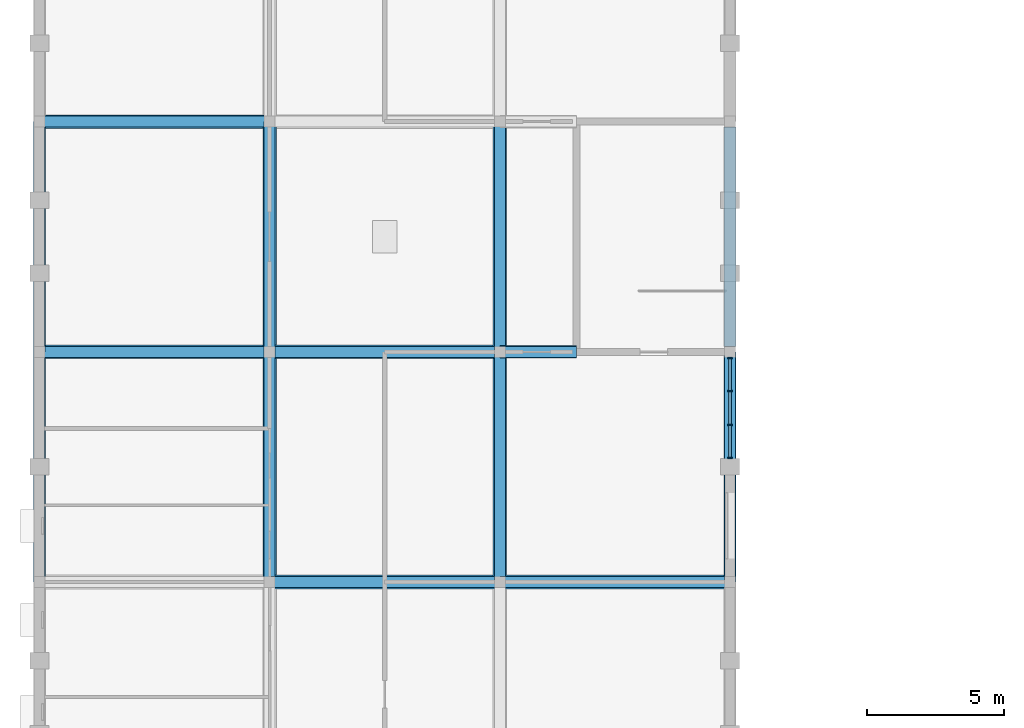
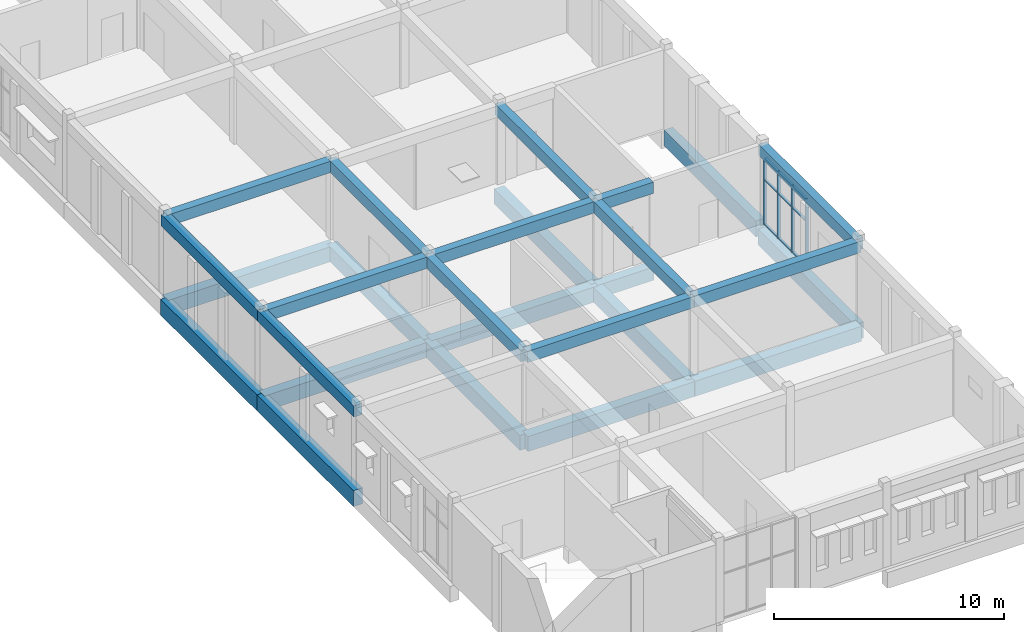
# One storey, part 2 of 15: 27 beams, 13 members, 1 element without a shape of its own.
"""IFC4 building model written with IfcOpenShell, lengths in metres."""

from ifc_helpers import new_model, si_unit, direction, frame, origin, origin_2d, place, context, subcontext, project, spatial, rectangle, extrude, material, material_profile, profile_set, type_object, element, aggregate, save


model = new_model("IFC4")

# Units and contexts
model_context = context("Model", 3, precision=1e-05, world=origin(), true_north=direction((0.0, 1.0)))
body_context = subcontext(model_context, "Body", "Model", "MODEL_VIEW")
ifc_project = project(units=[si_unit("LENGTHUNIT", "METRE"), si_unit("AREAUNIT", "SQUARE_METRE"), si_unit("VOLUMEUNIT", "CUBIC_METRE"), si_unit("PLANEANGLEUNIT", "RADIAN"), si_unit("MASSUNIT", "GRAM", prefix="KILO")], contexts=[model_context])

# Site, building, storey
site_placement = place(None, origin())
site = spatial("IfcSite", under=ifc_project, at=site_placement, CompositionType="ELEMENT")
building_placement = place(site_placement, origin())
building = spatial("IfcBuilding", under=site, at=building_placement, Name="Fescue Hill Polytechnic", CompositionType="ELEMENT")
storey_placement = place(building_placement, frame((0.0, 0.0, 31.5)))
storey = spatial("IfcBuildingStorey", under=building, at=storey_placement, Name="L07", CompositionType="ELEMENT", Elevation=31.5)

# Beams
ifc_material_1 = material(Name="Concrete 35 MPa", Category="concrete")
ifc_material_profile_1 = material_profile(ifc_material_1, rectangle(XDim=0.39990234375, YDim=0.60009765625, at=origin_2d()), Name="RC 400x600")
ifc_profile_set_1 = profile_set([ifc_material_profile_1], Name="Concrete 35 MPa")
beam_type_1 = type_object("IfcBeamType", Name="Beam RC 400x600", PredefinedType="BEAM", material=ifc_profile_set_1)
beam_1_placement = place(storey_placement, frame((0.0, 67.199951171875, 3.89990234375), z_axis=(0.0, 1.0, 0.0), x_axis=(-1.0, 0.0, 0.0)))
element("IfcBeam", 1, at=beam_1_placement, inside=storey, type_object=beam_type_1, Name="BR-L07-0002", PredefinedType="BEAM", context=body_context, shape_type="SweptSolid", body=[
    extrude(rectangle(XDim=0.39990234375, YDim=0.60009765625, at=origin_2d()), origin(), (0.0, 0.0, 1.0), 8.400146484375),
])
beam_2_placement = place(storey_placement, frame((0.0, 75.60009765625, 3.89990234375), z_axis=(0.0, 1.0, 0.0), x_axis=(-1.0, 0.0, 0.0)))
element("IfcBeam", 2, at=beam_2_placement, inside=storey, type_object=beam_type_1, Name="BR-L07-0003", PredefinedType="BEAM", context=body_context, shape_type="SweptSolid", body=[
    extrude(rectangle(XDim=0.39990234375, YDim=0.60009765625, at=origin_2d()), origin(), (0.0, 0.0, 1.0), 8.39990234375),
])
for number, where, z_axis, x_axis, name in (
    (3, (0.010009765625, 75.60009765625, 3.89990234375), (1.0, 0.0, 0.0), (0.0, 1.0, 0.0), "BR-L07-0009"),
    (4, (0.010009765625, 84.0, 3.89990234375), (1.0, 0.0, 0.0), (0.0, 1.0, 0.0), "BR-L07-0010"),
):
    element("IfcBeam", number, at=place(storey_placement, frame(where, z_axis=z_axis, x_axis=x_axis)), inside=storey, type_object=beam_type_1, Name=name, PredefinedType="BEAM", context=body_context, shape_type="SweptSolid", body=[
        extrude(rectangle(XDim=0.39990234375, YDim=0.60009765625, at=origin_2d()), origin(), (0.0, 0.0, 1.0), 8.3798828125),
    ])
beam_3_placement = place(storey_placement, frame((8.39990234375, 67.199951171875, 3.89990234375), z_axis=(0.0, 1.0, 0.0), x_axis=(-1.0, 0.0, 0.0)))
element("IfcBeam", 5, at=beam_3_placement, inside=storey, type_object=beam_type_1, Name="BR-L07-0018", PredefinedType="BEAM", context=body_context, shape_type="SweptSolid", body=[
    extrude(rectangle(XDim=0.39990234375, YDim=0.60009765625, at=origin_2d()), origin(), (0.0, 0.0, 1.0), 8.400146484375),
])
beam_4_placement = place(storey_placement, frame((8.39990234375, 75.60009765625, 3.89990234375), z_axis=(0.0, 1.0, 0.0), x_axis=(-1.0, 0.0, 0.0)))
element("IfcBeam", 6, at=beam_4_placement, inside=storey, type_object=beam_type_1, Name="BR-L07-0019", PredefinedType="BEAM", context=body_context, shape_type="SweptSolid", body=[
    extrude(rectangle(XDim=0.39990234375, YDim=0.60009765625, at=origin_2d()), origin(), (0.0, 0.0, 1.0), 8.39990234375),
])
for number, where, z_axis, x_axis, name in (
    (7, (8.409912109375, 67.199951171875, 3.89990234375), (1.0, 0.0, 0.0), (0.0, 1.0, 0.0), "BR-L07-0025"),
    (8, (8.409912109375, 75.60009765625, 3.89990234375), (1.0, 0.0, 0.0), (0.0, 1.0, 0.0), "BR-L07-0026"),
):
    element("IfcBeam", number, at=place(storey_placement, frame(where, z_axis=z_axis, x_axis=x_axis)), inside=storey, type_object=beam_type_1, Name=name, PredefinedType="BEAM", context=body_context, shape_type="SweptSolid", body=[
        extrude(rectangle(XDim=0.39990234375, YDim=0.60009765625, at=origin_2d()), origin(), (0.0, 0.0, 1.0), 8.380126953125),
    ])
beam_5_placement = place(storey_placement, frame((16.800048828125, 67.199951171875, 3.89990234375), z_axis=(0.0, 1.0, 0.0), x_axis=(-1.0, 0.0, 0.0)))
element("IfcBeam", 9, at=beam_5_placement, inside=storey, type_object=beam_type_1, Name="BR-L07-0034", PredefinedType="BEAM", context=body_context, shape_type="SweptSolid", body=[
    extrude(rectangle(XDim=0.39990234375, YDim=0.60009765625, at=origin_2d()), origin(), (0.0, 0.0, 1.0), 8.400146484375),
])
beam_6_placement = place(storey_placement, frame((16.800048828125, 75.60009765625, 3.89990234375), z_axis=(0.0, 1.0, 0.0), x_axis=(-1.0, 0.0, 0.0)))
element("IfcBeam", 10, at=beam_6_placement, inside=storey, type_object=beam_type_1, Name="BR-L07-0035", PredefinedType="BEAM", context=body_context, shape_type="SweptSolid", body=[
    extrude(rectangle(XDim=0.39990234375, YDim=0.60009765625, at=origin_2d()), origin(), (0.0, 0.0, 1.0), 8.39990234375),
])
beam_7_placement = place(storey_placement, frame((16.81005859375, 67.199951171875, 3.89990234375), z_axis=(1.0, 0.0, 0.0), x_axis=(0.0, 1.0, 0.0)))
element("IfcBeam", 11, at=beam_7_placement, inside=storey, type_object=beam_type_1, Name="BR-L07-0044", PredefinedType="BEAM", context=body_context, shape_type="SweptSolid", body=[
    extrude(rectangle(XDim=0.39990234375, YDim=0.60009765625, at=origin_2d()), origin(), (0.0, 0.0, 1.0), 8.3798828125),
])
beam_8_placement = place(storey_placement, frame((16.81005859375, 75.60009765625, 3.89990234375), z_axis=(1.0, 0.0, 0.0), x_axis=(0.0, 1.0, 0.0)))
element("IfcBeam", 12, at=beam_8_placement, inside=storey, type_object=beam_type_1, Name="BR-L07-0045", PredefinedType="BEAM", context=body_context, shape_type="SweptSolid", body=[
    extrude(rectangle(XDim=0.39990234375, YDim=0.60009765625, at=origin_2d()), origin(), (0.0, 0.0, 1.0), 2.7900390625),
])
beam_9_placement = place(storey_placement, frame((25.199951171875, 67.199951171875, 3.89990234375), z_axis=(0.0, 1.0, 0.0), x_axis=(-1.0, 0.0, 0.0)))
element("IfcBeam", 13, at=beam_9_placement, inside=storey, type_object=beam_type_1, Name="BR-L07-0052", PredefinedType="BEAM", context=body_context, shape_type="SweptSolid", body=[
    extrude(rectangle(XDim=0.39990234375, YDim=0.60009765625, at=origin_2d()), origin(), (0.0, 0.0, 1.0), 8.400146484375),
])
ifc_material_profile_2 = material_profile(ifc_material_1, rectangle(XDim=0.449951171875, YDim=0.699951171875, at=origin_2d()), Name="RC 450x700")
ifc_profile_set_2 = profile_set([ifc_material_profile_2], Name="Concrete 35 MPa")
beam_type_2 = type_object("IfcBeamType", Name="Beam RC 450x700", PredefinedType="BEAM", material=ifc_profile_set_2)
beam_10_placement = place(storey_placement, frame((16.81005859375, 75.60009765625, -0.64990234375), z_axis=(1.0, 0.0, 0.0), x_axis=(0.0, 1.0, 0.0)))
element("IfcBeam", 14, at=beam_10_placement, inside=storey, type_object=beam_type_2, Name="BM-L07-0045", PredefinedType="BEAM", context=body_context, shape_type="SweptSolid", body=[
    extrude(rectangle(XDim=0.449951171875, YDim=0.699951171875, at=origin_2d()), origin(), (0.0, 0.0, 1.0), 2.7900390625),
])
ifc_material_profile_3 = material_profile(ifc_material_1, rectangle(XDim=0.449951171875, YDim=0.85009765625, at=origin_2d()), Name="RC 450x850")
ifc_profile_set_3 = profile_set([ifc_material_profile_3], Name="Concrete 35 MPa")
beam_type_3 = type_object("IfcBeamType", Name="Beam RC 450x850", PredefinedType="BEAM", material=ifc_profile_set_3)
beam_11_placement = place(storey_placement, frame((0.0, 67.199951171875, -0.72509765625), z_axis=(0.0, 1.0, 0.0), x_axis=(-1.0, 0.0, 0.0)))
element("IfcBeam", 15, at=beam_11_placement, inside=storey, type_object=beam_type_3, Name="BM-L07-0002", PredefinedType="BEAM", context=body_context, shape_type="SweptSolid", body=[
    extrude(rectangle(XDim=0.449951171875, YDim=0.85009765625, at=origin_2d()), origin(), (0.0, 0.0, 1.0), 8.400146484375),
])
beam_12_placement = place(storey_placement, frame((0.0, 75.60009765625, -0.72509765625), z_axis=(0.0, 1.0, 0.0), x_axis=(-1.0, 0.0, 0.0)))
element("IfcBeam", 16, at=beam_12_placement, inside=storey, type_object=beam_type_3, Name="BM-L07-0003", PredefinedType="BEAM", context=body_context, shape_type="SweptSolid", body=[
    extrude(rectangle(XDim=0.449951171875, YDim=0.85009765625, at=origin_2d()), origin(), (0.0, 0.0, 1.0), 8.39990234375),
])
beam_13_placement = place(storey_placement, frame((25.199951171875, 67.199951171875, -0.72509765625), z_axis=(0.0, 1.0, 0.0), x_axis=(-1.0, 0.0, 0.0)))
element("IfcBeam", 17, at=beam_13_placement, inside=storey, type_object=beam_type_3, Name="BM-L07-0052", PredefinedType="BEAM", context=body_context, shape_type="SweptSolid", body=[
    extrude(rectangle(XDim=0.449951171875, YDim=0.85009765625, at=origin_2d()), origin(), (0.0, 0.0, 1.0), 8.400146484375),
])
beam_14_placement = place(storey_placement, frame((25.199951171875, 75.800048828125, -0.425048828125), z_axis=(0.0, 1.0, 0.0), x_axis=(-1.0, 0.0, 0.0)))
element("IfcBeam", 18, at=beam_14_placement, inside=storey, type_object=beam_type_3, Name="BM-L07-0074", PredefinedType="BEAM", context=body_context, shape_type="SweptSolid", body=[
    extrude(rectangle(XDim=0.449951171875, YDim=0.85009765625, at=origin_2d()), origin(), (0.0, 0.0, 1.0), 8.0),
])
ifc_material_profile_4 = material_profile(ifc_material_1, rectangle(XDim=0.5, YDim=0.800048828125, at=origin_2d()), Name="RC 500x800")
ifc_profile_set_4 = profile_set([ifc_material_profile_4], Name="Concrete 35 MPa")
beam_type_4 = type_object("IfcBeamType", Name="Beam RC 500x800", PredefinedType="BEAM", material=ifc_profile_set_4)
for number, where, z_axis, x_axis, name in (
    (19, (0.010009765625, 75.60009765625, -0.699951171875), (1.0, 0.0, 0.0), (0.0, 1.0, 0.0), "BM-L07-0009"),
    (20, (0.010009765625, 84.0, -0.699951171875), (1.0, 0.0, 0.0), (0.0, 1.0, 0.0), "BM-L07-0010"),
):
    element("IfcBeam", number, at=place(storey_placement, frame(where, z_axis=z_axis, x_axis=x_axis)), inside=storey, type_object=beam_type_4, Name=name, PredefinedType="BEAM", context=body_context, shape_type="SweptSolid", body=[
        extrude(rectangle(XDim=0.5, YDim=0.800048828125, at=origin_2d()), origin(), (0.0, 0.0, 1.0), 8.3798828125),
    ])
beam_15_placement = place(storey_placement, frame((8.39990234375, 67.199951171875, -0.699951171875), z_axis=(0.0, 1.0, 0.0), x_axis=(-1.0, 0.0, 0.0)))
element("IfcBeam", 21, at=beam_15_placement, inside=storey, type_object=beam_type_4, Name="BM-L07-0018", PredefinedType="BEAM", context=body_context, shape_type="SweptSolid", body=[
    extrude(rectangle(XDim=0.5, YDim=0.800048828125, at=origin_2d()), origin(), (0.0, 0.0, 1.0), 8.400146484375),
])
beam_16_placement = place(storey_placement, frame((8.39990234375, 75.60009765625, -0.699951171875), z_axis=(0.0, 1.0, 0.0), x_axis=(-1.0, 0.0, 0.0)))
element("IfcBeam", 22, at=beam_16_placement, inside=storey, type_object=beam_type_4, Name="BM-L07-0019", PredefinedType="BEAM", context=body_context, shape_type="SweptSolid", body=[
    extrude(rectangle(XDim=0.5, YDim=0.800048828125, at=origin_2d()), origin(), (0.0, 0.0, 1.0), 8.39990234375),
])
for number, where, z_axis, x_axis, name in (
    (23, (8.409912109375, 67.199951171875, -0.699951171875), (1.0, 0.0, 0.0), (0.0, 1.0, 0.0), "BM-L07-0025"),
    (24, (8.409912109375, 75.60009765625, -0.699951171875), (1.0, 0.0, 0.0), (0.0, 1.0, 0.0), "BM-L07-0026"),
):
    element("IfcBeam", number, at=place(storey_placement, frame(where, z_axis=z_axis, x_axis=x_axis)), inside=storey, type_object=beam_type_4, Name=name, PredefinedType="BEAM", context=body_context, shape_type="SweptSolid", body=[
        extrude(rectangle(XDim=0.5, YDim=0.800048828125, at=origin_2d()), origin(), (0.0, 0.0, 1.0), 8.380126953125),
    ])
beam_17_placement = place(storey_placement, frame((16.800048828125, 67.199951171875, -0.699951171875), z_axis=(0.0, 1.0, 0.0), x_axis=(-1.0, 0.0, 0.0)))
element("IfcBeam", 25, at=beam_17_placement, inside=storey, type_object=beam_type_4, Name="BM-L07-0034", PredefinedType="BEAM", context=body_context, shape_type="SweptSolid", body=[
    extrude(rectangle(XDim=0.5, YDim=0.800048828125, at=origin_2d()), origin(), (0.0, 0.0, 1.0), 8.400146484375),
])
beam_18_placement = place(storey_placement, frame((16.800048828125, 75.60009765625, -0.699951171875), z_axis=(0.0, 1.0, 0.0), x_axis=(-1.0, 0.0, 0.0)))
element("IfcBeam", 26, at=beam_18_placement, inside=storey, type_object=beam_type_4, Name="BM-L07-0035", PredefinedType="BEAM", context=body_context, shape_type="SweptSolid", body=[
    extrude(rectangle(XDim=0.5, YDim=0.800048828125, at=origin_2d()), origin(), (0.0, 0.0, 1.0), 8.39990234375),
])
beam_19_placement = place(storey_placement, frame((16.81005859375, 67.199951171875, -0.699951171875), z_axis=(1.0, 0.0, 0.0), x_axis=(0.0, 1.0, 0.0)))
element("IfcBeam", 27, at=beam_19_placement, inside=storey, type_object=beam_type_4, Name="BM-L07-0044", PredefinedType="BEAM", context=body_context, shape_type="SweptSolid", body=[
    extrude(rectangle(XDim=0.5, YDim=0.800048828125, at=origin_2d()), origin(), (0.0, 0.0, 1.0), 8.3798828125),
])

# Curtain wall, members
ifc_material_2 = material(Name="Glass", Category="glass")
curtain_wall_type = type_object("IfcCurtainWallType", Name="Curtain wall structural glazing", PredefinedType="NOTDEFINED", material=ifc_material_2)
curtain_wall_placement = place(storey_placement, origin())
curtain_wall = element("IfcCurtainWall", 28, at=curtain_wall_placement, inside=storey, type_object=curtain_wall_type, Name="CW-L07-V4-X3", PredefinedType="NOTDEFINED")
ifc_material_3 = material(Name="Powder-coated aluminium", Category="aluminium")
ifc_material_profile_5 = material_profile(ifc_material_3, rectangle(XDim=0.159912109375, YDim=0.06005859375, at=origin_2d()), Name="Mullion aluminium 60x160")
ifc_profile_set_5 = profile_set([ifc_material_profile_5], Name="Powder-coated aluminium")
member_type_1 = type_object("IfcMemberType", Name="Mullion aluminium 60x160", PredefinedType="MULLION", material=ifc_profile_set_5)
member_1_placement = place(storey_placement, frame((25.199951171875, 71.72998046875, 0.0), z_axis=(0.0, 0.0, 1.0), x_axis=(-1.0, 0.0, 0.0)))
member_1 = element("IfcMember", 29, at=member_1_placement, type_object=member_type_1, Name="CW140 mullion 1", PredefinedType="MULLION", context=body_context, shape_type="SweptSolid", body=[
    extrude(rectangle(XDim=0.159912109375, YDim=0.06005859375, at=origin_2d()), origin(), (0.0, 0.0, 1.0), 3.580078125),
])
member_2_placement = place(storey_placement, frame((25.199951171875, 72.933349609375, 0.0), z_axis=(0.0, 0.0, 1.0), x_axis=(-1.0, 0.0, 0.0)))
member_2 = element("IfcMember", 30, at=member_2_placement, type_object=member_type_1, Name="CW140 mullion 2", PredefinedType="MULLION", context=body_context, shape_type="SweptSolid", body=[
    extrude(rectangle(XDim=0.159912109375, YDim=0.06005859375, at=origin_2d()), origin(), (0.0, 0.0, 1.0), 3.580078125),
])
member_3_placement = place(storey_placement, frame((25.199951171875, 74.166748046875, 0.0), z_axis=(0.0, 0.0, 1.0), x_axis=(-1.0, 0.0, 0.0)))
member_3 = element("IfcMember", 31, at=member_3_placement, type_object=member_type_1, Name="CW140 mullion 3", PredefinedType="MULLION", context=body_context, shape_type="SweptSolid", body=[
    extrude(rectangle(XDim=0.159912109375, YDim=0.06005859375, at=origin_2d()), origin(), (0.0, 0.0, 1.0), 3.580078125),
])
member_4_placement = place(storey_placement, frame((25.199951171875, 75.3701171875, 0.0), z_axis=(0.0, 0.0, 1.0), x_axis=(-1.0, 0.0, 0.0)))
member_4 = element("IfcMember", 32, at=member_4_placement, type_object=member_type_1, Name="CW140 mullion 4", PredefinedType="MULLION", context=body_context, shape_type="SweptSolid", body=[
    extrude(rectangle(XDim=0.159912109375, YDim=0.06005859375, at=origin_2d()), origin(), (0.0, 0.0, 1.0), 3.580078125),
])
ifc_material_profile_6 = material_profile(ifc_material_3, rectangle(XDim=0.1201171875, YDim=0.06005859375, at=origin_2d()), Name="Transom aluminium 60x120")
ifc_profile_set_6 = profile_set([ifc_material_profile_6], Name="Powder-coated aluminium")
member_type_2 = type_object("IfcMemberType", Name="Transom aluminium 60x120", PredefinedType="USERDEFINED", material=ifc_profile_set_6)
member_5_placement = place(storey_placement, frame((25.199951171875, 71.760009765625, 0.030029296875), z_axis=(0.0, 1.0, 0.0), x_axis=(-1.0, 0.0, 0.0)))
member_5 = element("IfcMember", 33, at=member_5_placement, type_object=member_type_2, Name="CW140 transom 1.1", ObjectType="TRANSOM", PredefinedType="USERDEFINED", context=body_context, shape_type="SweptSolid", body=[
    extrude(rectangle(XDim=0.1201171875, YDim=0.06005859375, at=origin_2d()), origin(), (0.0, 0.0, 1.0), 1.143310546875),
])
member_6_placement = place(storey_placement, frame((25.199951171875, 71.760009765625, 2.39990234375), z_axis=(0.0, 1.0, 0.0), x_axis=(-1.0, 0.0, 0.0)))
member_6 = element("IfcMember", 34, at=member_6_placement, type_object=member_type_2, Name="CW140 transom 1.2", ObjectType="TRANSOM", PredefinedType="USERDEFINED", context=body_context, shape_type="SweptSolid", body=[
    extrude(rectangle(XDim=0.1201171875, YDim=0.06005859375, at=origin_2d()), origin(), (0.0, 0.0, 1.0), 1.143310546875),
])
member_7_placement = place(storey_placement, frame((25.199951171875, 71.760009765625, 3.550048828125), z_axis=(0.0, 1.0, 0.0), x_axis=(-1.0, 0.0, 0.0)))
member_7 = element("IfcMember", 35, at=member_7_placement, type_object=member_type_2, Name="CW140 transom 1.3", ObjectType="TRANSOM", PredefinedType="USERDEFINED", context=body_context, shape_type="SweptSolid", body=[
    extrude(rectangle(XDim=0.1201171875, YDim=0.06005859375, at=origin_2d()), origin(), (0.0, 0.0, 1.0), 1.143310546875),
])
member_8_placement = place(storey_placement, frame((25.199951171875, 72.96337890625, 0.030029296875), z_axis=(0.0, 1.0, 0.0), x_axis=(-1.0, 0.0, 0.0)))
member_8 = element("IfcMember", 36, at=member_8_placement, type_object=member_type_2, Name="CW140 transom 2.1", ObjectType="TRANSOM", PredefinedType="USERDEFINED", context=body_context, shape_type="SweptSolid", body=[
    extrude(rectangle(XDim=0.1201171875, YDim=0.06005859375, at=origin_2d()), origin(), (0.0, 0.0, 1.0), 1.17333984375),
])
member_9_placement = place(storey_placement, frame((25.199951171875, 72.96337890625, 2.39990234375), z_axis=(0.0, 1.0, 0.0), x_axis=(-1.0, 0.0, 0.0)))
member_9 = element("IfcMember", 37, at=member_9_placement, type_object=member_type_2, Name="CW140 transom 2.2", ObjectType="TRANSOM", PredefinedType="USERDEFINED", context=body_context, shape_type="SweptSolid", body=[
    extrude(rectangle(XDim=0.1201171875, YDim=0.06005859375, at=origin_2d()), origin(), (0.0, 0.0, 1.0), 1.17333984375),
])
member_10_placement = place(storey_placement, frame((25.199951171875, 72.96337890625, 3.550048828125), z_axis=(0.0, 1.0, 0.0), x_axis=(-1.0, 0.0, 0.0)))
member_10 = element("IfcMember", 38, at=member_10_placement, type_object=member_type_2, Name="CW140 transom 2.3", ObjectType="TRANSOM", PredefinedType="USERDEFINED", context=body_context, shape_type="SweptSolid", body=[
    extrude(rectangle(XDim=0.1201171875, YDim=0.06005859375, at=origin_2d()), origin(), (0.0, 0.0, 1.0), 1.17333984375),
])
member_11_placement = place(storey_placement, frame((25.199951171875, 74.19677734375, 0.030029296875), z_axis=(0.0, 1.0, 0.0), x_axis=(-1.0, 0.0, 0.0)))
member_11 = element("IfcMember", 39, at=member_11_placement, type_object=member_type_2, Name="CW140 transom 3.1", ObjectType="TRANSOM", PredefinedType="USERDEFINED", context=body_context, shape_type="SweptSolid", body=[
    extrude(rectangle(XDim=0.1201171875, YDim=0.06005859375, at=origin_2d()), origin(), (0.0, 0.0, 1.0), 1.143310546875),
])
member_12_placement = place(storey_placement, frame((25.199951171875, 74.19677734375, 2.39990234375), z_axis=(0.0, 1.0, 0.0), x_axis=(-1.0, 0.0, 0.0)))
member_12 = element("IfcMember", 40, at=member_12_placement, type_object=member_type_2, Name="CW140 transom 3.2", ObjectType="TRANSOM", PredefinedType="USERDEFINED", context=body_context, shape_type="SweptSolid", body=[
    extrude(rectangle(XDim=0.1201171875, YDim=0.06005859375, at=origin_2d()), origin(), (0.0, 0.0, 1.0), 1.143310546875),
])
member_13_placement = place(storey_placement, frame((25.199951171875, 74.19677734375, 3.550048828125), z_axis=(0.0, 1.0, 0.0), x_axis=(-1.0, 0.0, 0.0)))
member_13 = element("IfcMember", 41, at=member_13_placement, type_object=member_type_2, Name="CW140 transom 3.3", ObjectType="TRANSOM", PredefinedType="USERDEFINED", context=body_context, shape_type="SweptSolid", body=[
    extrude(rectangle(XDim=0.1201171875, YDim=0.06005859375, at=origin_2d()), origin(), (0.0, 0.0, 1.0), 1.143310546875),
])
aggregate(curtain_wall, [member_1, member_2, member_3, member_4, member_5, member_6, member_7, member_8, member_9, member_10, member_11, member_12, member_13])

save(model, "model.ifc")
